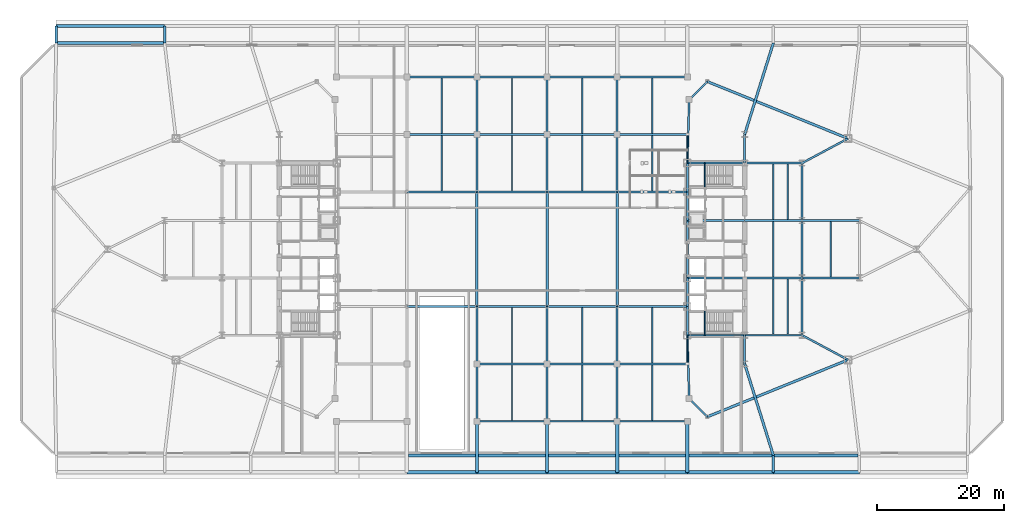
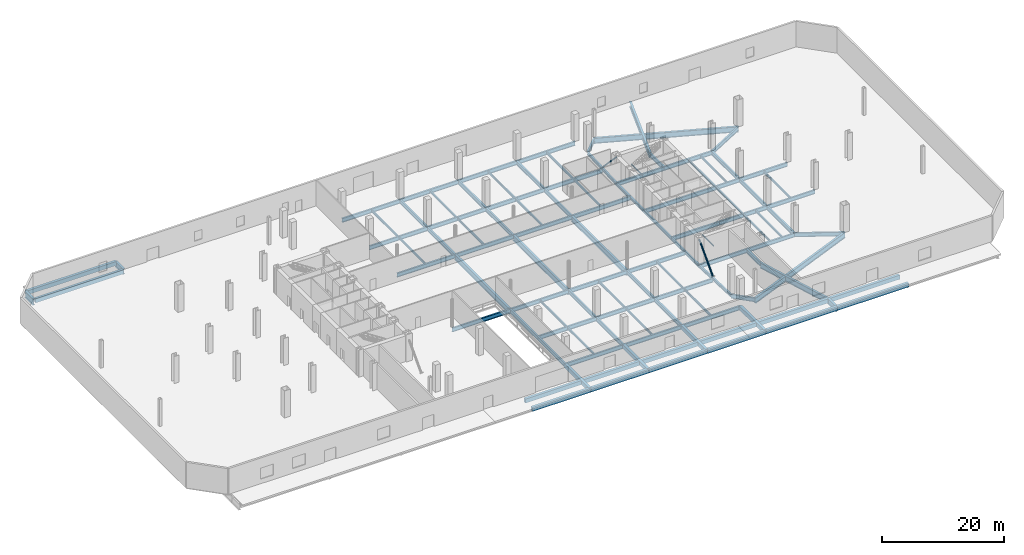
# One storey, part 8 of 21: 110 beams, 2 members.
"""IFC4 building model written with IfcOpenShell, lengths in metres."""

from ifc_helpers import new_model, si_unit, direction, frame, origin, origin_2d, place, context, subcontext, project, spatial, rectangle, hollow_circle, i_section, extrude, source, transform, mapped, material, material_profile, profile_set, type_object, type_shapes, element, save


model = new_model("IFC4")

# Units and contexts
model_context = context("Model", 3, precision=1e-05, world=origin(), true_north=direction((0.0, 1.0)))
body_context = subcontext(model_context, "Body", "Model", "MODEL_VIEW")
ifc_project = project(units=[si_unit("LENGTHUNIT", "METRE"), si_unit("AREAUNIT", "SQUARE_METRE"), si_unit("VOLUMEUNIT", "CUBIC_METRE"), si_unit("PLANEANGLEUNIT", "RADIAN"), si_unit("MASSUNIT", "GRAM", prefix="KILO")], contexts=[model_context])

# Site, building, storey
site_placement = place(None, origin())
site = spatial("IfcSite", under=ifc_project, at=site_placement, CompositionType="ELEMENT")
building_placement = place(site_placement, origin())
building = spatial("IfcBuilding", under=site, at=building_placement, Name="Seokmaru Belvedere", CompositionType="ELEMENT")
storey_placement = place(building_placement, origin())
storey = spatial("IfcBuildingStorey", under=building, at=storey_placement, Name="L00", CompositionType="ELEMENT", Elevation=0.0)

# Beams
ifc_material_1 = material(Name="Steel SM355 (355 MPa)", Category="steel")
ifc_material_profile_1 = material_profile(ifc_material_1, i_section(OverallWidth=0.300048828125, OverallDepth=0.587890625, WebThickness=0.011962890625, FlangeThickness=0.02001953125, at=origin_2d()), Name="H-588x300x12x20")
ifc_profile_set_1 = profile_set([ifc_material_profile_1], Name="Steel SM355 (355 MPa)")
beam_type_1 = type_object("IfcBeamType", Name="Podium Edge Spandrel Beam H-588", PredefinedType="SPANDREL", material=ifc_profile_set_1)
shared_shape_1 = source(origin(), body_context, "Body", "SweptSolid", [
    extrude(i_section(OverallWidth=0.300048828125, OverallDepth=0.587890625, WebThickness=0.011962890625, FlangeThickness=0.02001953125, at=origin_2d()), origin(), (0.0, 0.0, 1.0), 4.5),
])
for number, where, z_axis, x_axis, name in (
    (1, (27.5, -13.5, -0.573974609375), (0.0, 1.0, 0.0), (-1.0, 0.0, 0.0), "L00 E Portal Spine Spandrel 1"),
    (2, (27.5, -9.0, -0.573974609375), (0.0, 1.0, 0.0), (-1.0, 0.0, 0.0), "L00 E Portal Spine Spandrel 2"),
    (3, (27.5, 4.5, -0.573974609375), (0.0, 1.0, 0.0), (-1.0, 0.0, 0.0), "L00 E Portal Spine Spandrel 4"),
    (4, (27.5, 9.0, -0.573974609375), (0.0, 1.0, 0.0), (-1.0, 0.0, 0.0), "L00 E Portal Spine Spandrel 5"),
):
    element("IfcBeam", number, at=place(storey_placement, frame(where, z_axis=z_axis, x_axis=x_axis)), inside=storey, type_object=beam_type_1, Name=name, PredefinedType="SPANDREL", context=body_context, shape_type="MappedRepresentation", body=[
        mapped(shared_shape_1, transform((0.0, 0.0, 0.0), scale=1.0)),
    ])
shared_shape_2 = source(origin(), body_context, "Body", "SweptSolid", [
    extrude(i_section(OverallWidth=0.300048828125, OverallDepth=0.587890625, WebThickness=0.011962890625, FlangeThickness=0.02001953125, at=origin_2d()), origin(), (0.0, 0.0, 1.0), 9.0),
])
beam_1_placement = place(storey_placement, frame((27.5, -4.5, -0.573974609375), z_axis=(0.0, 1.0, 0.0), x_axis=(-1.0, 0.0, 0.0)))
element("IfcBeam", 5, at=beam_1_placement, inside=storey, type_object=beam_type_1, Name="L00 E Portal Spine Spandrel 3", PredefinedType="SPANDREL", context=body_context, shape_type="MappedRepresentation", body=[
    mapped(shared_shape_2, transform((0.0, 0.0, 0.0), scale=1.0)),
])
ifc_material_profile_2 = material_profile(ifc_material_1, i_section(OverallWidth=0.39990234375, OverallDepth=1.10009765625, WebThickness=0.02001953125, FlangeThickness=0.033935546875, at=origin_2d()), Name="BH-1100x400x20x34")
ifc_profile_set_2 = profile_set([ifc_material_profile_2], Name="Steel SM355 (355 MPa)")
beam_type_2 = type_object("IfcBeamType", Name="Sky-Gate Transverse Girder BH-1100", PredefinedType="BEAM", material=ifc_profile_set_2)
shared_shape_3 = source(origin(), body_context, "Body", "SweptSolid", [
    extrude(i_section(OverallWidth=0.39990234375, OverallDepth=1.10009765625, WebThickness=0.02001953125, FlangeThickness=0.033935546875, at=origin_2d()), origin(), (0.0, 0.0, 1.0), 23.811767578125),
])
for number, where, z_axis, x_axis, name in (
    (6, (30.643310546875, -26.294677734375, -0.830078125), (0.92694579442, 0.375195274766, 0.0), (-0.375195274766, 0.92694579442, 0.0), "L00 E Podium Long-Span Flank Girder S-1"),
    (7, (30.643310546875, 26.294677734375, -0.830078125), (0.92694579442, -0.375195274766, 0.0), (0.375195274766, 0.92694579442, 0.0), "L00 E Podium Long-Span Flank Girder N-1"),
):
    element("IfcBeam", number, at=place(storey_placement, frame(where, z_axis=z_axis, x_axis=x_axis)), inside=storey, type_object=beam_type_2, Name=name, PredefinedType="BEAM", context=body_context, shape_type="MappedRepresentation", body=[
        mapped(shared_shape_3, transform((0.0, 0.0, 0.0), scale=1.0)),
    ])
shared_shape_4 = source(origin(), body_context, "Body", "SweptSolid", [
    extrude(i_section(OverallWidth=0.300048828125, OverallDepth=0.587890625, WebThickness=0.011962890625, FlangeThickness=0.02001953125, at=origin_2d()), origin(), (0.0, 0.0, 1.0), 9.9560546875),
])
type_shapes(beam_type_1, [shared_shape_1, shared_shape_2, shared_shape_4])
for number, where, z_axis, x_axis, name in (
    (8, (27.800048828125, -23.451416015625, -0.573974609375), (-0.030137674137, 0.999545757131, 0.0), (-0.999545757131, -0.030137674137, 0.0), "L00 E Podium Spine Shoulder Tie S"),
    (9, (27.800048828125, 23.451416015625, -0.573974609375), (-0.030137674137, -0.999545757131, 0.0), (0.999545757131, -0.030137674137, 0.0), "L00 E Podium Spine Shoulder Tie N"),
):
    element("IfcBeam", number, at=place(storey_placement, frame(where, z_axis=z_axis, x_axis=x_axis)), inside=storey, type_object=beam_type_1, Name=name, PredefinedType="SPANDREL", context=body_context, shape_type="MappedRepresentation", body=[
        mapped(shared_shape_4, transform((0.0, 0.0, 0.0), scale=1.0)),
    ])
ifc_material_2 = material(Name="Concrete C50 (50 MPa)", Category="concrete")
ifc_material_profile_3 = material_profile(ifc_material_2, rectangle(XDim=0.5, YDim=0.800048828125, at=origin_2d()), Name="RC-500x800")
ifc_profile_set_3 = profile_set([ifc_material_profile_3], Name="Concrete C50 (50 MPa)")
beam_type_3 = type_object("IfcBeamType", Name="Plaza Perimeter Concrete Edge Beam RC-500x800", PredefinedType="BEAM", material=ifc_profile_set_3)
shared_shape_5 = source(origin(), body_context, "Body", "SweptSolid", [
    extrude(rectangle(XDim=0.5, YDim=0.800048828125, at=origin_2d()), origin(), (0.0, 0.0, 1.0), 17.0),
])
beam_2_placement = place(storey_placement, frame((-71.5, 35.0, -0.679931640625), z_axis=(1.0, 0.0, 0.0), x_axis=(0.0, 1.0, 0.0)))
element("IfcBeam", 10, at=beam_2_placement, inside=storey, type_object=beam_type_3, Name="L00 Plaza Substructure Edge Beam N-1", PredefinedType="BEAM", context=body_context, shape_type="MappedRepresentation", body=[
    mapped(shared_shape_5, transform((0.0, 0.0, 0.0), scale=1.0)),
])
shared_shape_6 = source(origin(), body_context, "Body", "SweptSolid", [
    extrude(rectangle(XDim=0.5, YDim=0.800048828125, at=origin_2d()), origin(), (0.0, 0.0, 1.0), 13.5),
])
for number, where, z_axis, x_axis, name in (
    (11, (27.5, -35.0, -0.679931640625), (1.0, 0.0, 0.0), (0.0, 1.0, 0.0), "L00 Plaza Substructure Edge Beam S-9"),
    (12, (41.0, -35.0, -0.679931640625), (1.0, 0.0, 0.0), (0.0, 1.0, 0.0), "L00 Plaza Substructure Edge Beam S-10"),
):
    element("IfcBeam", number, at=place(storey_placement, frame(where, z_axis=z_axis, x_axis=x_axis)), inside=storey, type_object=beam_type_3, Name=name, PredefinedType="BEAM", context=body_context, shape_type="MappedRepresentation", body=[
        mapped(shared_shape_6, transform((0.0, 0.0, 0.0), scale=1.0)),
    ])
shared_shape_7 = source(origin(), body_context, "Body", "SweptSolid", [
    extrude(rectangle(XDim=0.5, YDim=0.800048828125, at=origin_2d()), origin(), (0.0, 0.0, 1.0), 11.0),
])
for number, where, z_axis, x_axis, name in (
    (13, (-16.5, -35.0, -0.679931640625), (1.0, 0.0, 0.0), (0.0, 1.0, 0.0), "L00 Plaza Substructure Edge Beam S-5"),
    (14, (-5.5, -35.0, -0.679931640625), (1.0, 0.0, 0.0), (0.0, 1.0, 0.0), "L00 Plaza Substructure Edge Beam S-6"),
    (15, (5.5, -35.0, -0.679931640625), (1.0, 0.0, 0.0), (0.0, 1.0, 0.0), "L00 Plaza Substructure Edge Beam S-7"),
    (16, (16.5, -35.0, -0.679931640625), (1.0, 0.0, 0.0), (0.0, 1.0, 0.0), "L00 Plaza Substructure Edge Beam S-8"),
):
    element("IfcBeam", number, at=place(storey_placement, frame(where, z_axis=z_axis, x_axis=x_axis)), inside=storey, type_object=beam_type_3, Name=name, PredefinedType="BEAM", context=body_context, shape_type="MappedRepresentation", body=[
        mapped(shared_shape_7, transform((0.0, 0.0, 0.0), scale=1.0)),
    ])
ifc_material_profile_4 = material_profile(ifc_material_1, i_section(OverallWidth=0.300048828125, OverallDepth=0.800048828125, WebThickness=0.013916015625, FlangeThickness=0.02587890625, at=origin_2d()), Name="H-800x300x14x26")
ifc_profile_set_4 = profile_set([ifc_material_profile_4], Name="Steel SM355 (355 MPa)")
beam_type_4 = type_object("IfcBeamType", Name="Podium Primary Girder H-800", PredefinedType="BEAM", material=ifc_profile_set_4)
shared_shape_8 = source(origin(), body_context, "Body", "SweptSolid", [
    extrude(i_section(OverallWidth=0.300048828125, OverallDepth=0.800048828125, WebThickness=0.013916015625, FlangeThickness=0.02587890625, at=origin_2d()), origin(), (0.0, 0.0, 1.0), 4.5),
])
for number, where, z_axis, x_axis, name in (
    (17, (36.5, -18.0, -0.679931640625), (0.0, 1.0, 0.0), (-1.0, 0.0, 0.0), "L00 E Core Shoulder Girder S"),
    (18, (36.5, 13.5, -0.679931640625), (0.0, 1.0, 0.0), (-1.0, 0.0, 0.0), "L00 E Core Shoulder Girder N"),
):
    element("IfcBeam", number, at=place(storey_placement, frame(where, z_axis=z_axis, x_axis=x_axis)), inside=storey, type_object=beam_type_4, Name=name, PredefinedType="BEAM", context=body_context, shape_type="MappedRepresentation", body=[
        mapped(shared_shape_8, transform((0.0, 0.0, 0.0), scale=1.0)),
    ])
shared_shape_9 = source(origin(), body_context, "Body", "SweptSolid", [
    extrude(i_section(OverallWidth=0.300048828125, OverallDepth=0.800048828125, WebThickness=0.013916015625, FlangeThickness=0.02587890625, at=origin_2d()), origin(), (0.0, 0.0, 1.0), 9.0),
])
for number, where, z_axis, x_axis, name in (
    (19, (45.5, -13.5, -0.679931640625), (0.0, 1.0, 0.0), (-1.0, 0.0, 0.0), "L00 E Interior Grid Girder 1"),
    (20, (45.5, -4.5, -0.679931640625), (0.0, 1.0, 0.0), (-1.0, 0.0, 0.0), "L00 E Interior Grid Girder 2"),
    (21, (45.5, 4.5, -0.679931640625), (0.0, 1.0, 0.0), (-1.0, 0.0, 0.0), "L00 E Interior Grid Girder 3"),
    (22, (27.5, -13.5, -0.679931640625), (1.0, 0.0, 0.0), (0.0, 1.0, 0.0), "L00 E Core Tie Girder 1"),
    (23, (36.5, -13.5, -0.679931640625), (1.0, 0.0, 0.0), (0.0, 1.0, 0.0), "L00 E Wing Primary Girder 1"),
    (24, (27.5, -4.5, -0.679931640625), (1.0, 0.0, 0.0), (0.0, 1.0, 0.0), "L00 E Core Tie Girder 2"),
    (25, (36.5, -4.5, -0.679931640625), (1.0, 0.0, 0.0), (0.0, 1.0, 0.0), "L00 E Wing Primary Girder 2"),
    (26, (27.5, 4.5, -0.679931640625), (1.0, 0.0, 0.0), (0.0, 1.0, 0.0), "L00 E Core Tie Girder 3"),
    (27, (36.5, 4.5, -0.679931640625), (1.0, 0.0, 0.0), (0.0, 1.0, 0.0), "L00 E Wing Primary Girder 3"),
    (28, (27.5, 13.5, -0.679931640625), (1.0, 0.0, 0.0), (0.0, 1.0, 0.0), "L00 E Core Tie Girder 4"),
    (29, (36.5, 13.5, -0.679931640625), (1.0, 0.0, 0.0), (0.0, 1.0, 0.0), "L00 E Wing Primary Girder 4"),
    (30, (45.5, -4.5, -0.679931640625), (1.0, 0.0, 0.0), (0.0, 1.0, 0.0), "L00 E Outer Wing Girder 1"),
    (31, (45.5, 4.5, -0.679931640625), (1.0, 0.0, 0.0), (0.0, 1.0, 0.0), "L00 E Outer Wing Girder 2"),
    (32, (-5.5, -27.0, -0.679931640625), (0.0, 1.0, 0.0), (-1.0, 0.0, 0.0), "L00 Central Podium Transverse Girder 2-1"),
    (33, (-5.5, -18.0, -0.679931640625), (0.0, 1.0, 0.0), (-1.0, 0.0, 0.0), "L00 Central Podium Transverse Girder 2-2"),
    (34, (-5.5, 9.0, -0.679931640625), (0.0, 1.0, 0.0), (-1.0, 0.0, 0.0), "L00 Central Podium Transverse Girder 2-4"),
    (35, (-5.5, 18.0, -0.679931640625), (0.0, 1.0, 0.0), (-1.0, 0.0, 0.0), "L00 Central Podium Transverse Girder 2-5"),
    (36, (5.5, -27.0, -0.679931640625), (0.0, 1.0, 0.0), (-1.0, 0.0, 0.0), "L00 Central Podium Transverse Girder 3-1"),
    (37, (5.5, -18.0, -0.679931640625), (0.0, 1.0, 0.0), (-1.0, 0.0, 0.0), "L00 Central Podium Transverse Girder 3-2"),
    (38, (5.5, 9.0, -0.679931640625), (0.0, 1.0, 0.0), (-1.0, 0.0, 0.0), "L00 Central Podium Transverse Girder 3-4"),
    (39, (5.5, 18.0, -0.679931640625), (0.0, 1.0, 0.0), (-1.0, 0.0, 0.0), "L00 Central Podium Transverse Girder 3-5"),
    (40, (16.5, -27.0, -0.679931640625), (0.0, 1.0, 0.0), (-1.0, 0.0, 0.0), "L00 Central Podium Transverse Girder 4-1"),
    (41, (16.5, -18.0, -0.679931640625), (0.0, 1.0, 0.0), (-1.0, 0.0, 0.0), "L00 Central Podium Transverse Girder 4-2"),
    (42, (16.5, 9.0, -0.679931640625), (0.0, 1.0, 0.0), (-1.0, 0.0, 0.0), "L00 Central Podium Transverse Girder 4-4"),
    (43, (16.5, 18.0, -0.679931640625), (0.0, 1.0, 0.0), (-1.0, 0.0, 0.0), "L00 Central Podium Transverse Girder 4-5"),
):
    element("IfcBeam", number, at=place(storey_placement, frame(where, z_axis=z_axis, x_axis=x_axis)), inside=storey, type_object=beam_type_4, Name=name, PredefinedType="BEAM", context=body_context, shape_type="MappedRepresentation", body=[
        mapped(shared_shape_9, transform((0.0, 0.0, 0.0), scale=1.0)),
    ])
ifc_material_profile_5 = material_profile(ifc_material_1, i_section(OverallWidth=0.199951171875, OverallDepth=0.449951171875, WebThickness=0.009033203125, FlangeThickness=0.013916015625, at=origin_2d()), Name="H-450x200x9x14")
ifc_profile_set_5 = profile_set([ifc_material_profile_5], Name="Steel SM355 (355 MPa)")
beam_type_5 = type_object("IfcBeamType", Name="Podium Secondary Joist H-450", PredefinedType="JOIST", material=ifc_profile_set_5)
shared_shape_10 = source(origin(), body_context, "Body", "SweptSolid", [
    extrude(i_section(OverallWidth=0.199951171875, OverallDepth=0.449951171875, WebThickness=0.009033203125, FlangeThickness=0.013916015625, at=origin_2d()), origin(), (0.0, 0.0, 1.0), 8.68994140625),
])
type_shapes(beam_type_5, [shared_shape_10])
for number, where, z_axis, x_axis, name in (
    (44, (43.25, -13.344970703125, -0.5048828125), (0.0, 1.0, 0.0), (-1.0, 0.0, 0.0), "L00 E Wing Inner Secondary Joist 1"),
    (45, (43.25, 4.655029296875, -0.5048828125), (0.0, 1.0, 0.0), (-1.0, 0.0, 0.0), "L00 E Wing Inner Secondary Joist 2"),
    (46, (41.0, -13.344970703125, -0.5048828125), (0.0, 1.0, 0.0), (-1.0, 0.0, 0.0), "L00 E Secondary Floor Joist 1"),
    (47, (41.0, -4.344970703125, -0.5048828125), (0.0, 1.0, 0.0), (-1.0, 0.0, 0.0), "L00 E Secondary Floor Joist 2"),
    (48, (41.0, 4.655029296875, -0.5048828125), (0.0, 1.0, 0.0), (-1.0, 0.0, 0.0), "L00 E Secondary Floor Joist 3"),
    (49, (50.0, -4.344970703125, -0.5048828125), (0.0, 1.0, 0.0), (-1.0, 0.0, 0.0), "L00 E Outer Bay Secondary Joist"),
    (50, (-11.0, 9.155029296875, -0.5048828125), (0.0, 1.0, 0.0), (-1.0, 0.0, 0.0), "L00 Central Podium Secondary Joist 2-3"),
    (51, (-11.0, 18.155029296875, -0.5048828125), (0.0, 1.0, 0.0), (-1.0, 0.0, 0.0), "L00 Central Podium Secondary Joist 2-4"),
    (52, (0.0, -26.844970703125, -0.5048828125), (0.0, 1.0, 0.0), (-1.0, 0.0, 0.0), "L00 Central Podium Secondary Joist 3-1"),
    (53, (0.0, -17.844970703125, -0.5048828125), (0.0, 1.0, 0.0), (-1.0, 0.0, 0.0), "L00 Central Podium Secondary Joist 3-2"),
    (54, (0.0, 9.155029296875, -0.5048828125), (0.0, 1.0, 0.0), (-1.0, 0.0, 0.0), "L00 Central Podium Secondary Joist 3-3"),
    (55, (0.0, 18.155029296875, -0.5048828125), (0.0, 1.0, 0.0), (-1.0, 0.0, 0.0), "L00 Central Podium Secondary Joist 3-4"),
    (56, (11.0, -26.844970703125, -0.5048828125), (0.0, 1.0, 0.0), (-1.0, 0.0, 0.0), "L00 Central Podium Secondary Joist 4-1"),
    (57, (11.0, -17.844970703125, -0.5048828125), (0.0, 1.0, 0.0), (-1.0, 0.0, 0.0), "L00 Central Podium Secondary Joist 4-2"),
    (58, (11.0, 9.155029296875, -0.5048828125), (0.0, 1.0, 0.0), (-1.0, 0.0, 0.0), "L00 Central Podium Secondary Joist 4-3"),
    (59, (11.0, 18.155029296875, -0.5048828125), (0.0, 1.0, 0.0), (-1.0, 0.0, 0.0), "L00 Central Podium Secondary Joist 4-4"),
    (60, (22.0, -26.844970703125, -0.5048828125), (0.0, 1.0, 0.0), (-1.0, 0.0, 0.0), "L00 Central Podium Secondary Joist 5-1"),
    (61, (22.0, -17.844970703125, -0.5048828125), (0.0, 1.0, 0.0), (-1.0, 0.0, 0.0), "L00 Central Podium Secondary Joist 5-2"),
    (62, (22.0, 9.155029296875, -0.5048828125), (0.0, 1.0, 0.0), (-1.0, 0.0, 0.0), "L00 Central Podium Secondary Joist 5-3"),
    (63, (22.0, 18.155029296875, -0.5048828125), (0.0, 1.0, 0.0), (-1.0, 0.0, 0.0), "L00 Central Podium Secondary Joist 5-4"),
):
    element("IfcBeam", number, at=place(storey_placement, frame(where, z_axis=z_axis, x_axis=x_axis)), inside=storey, type_object=beam_type_5, Name=name, PredefinedType="JOIST", context=body_context, shape_type="MappedRepresentation", body=[
        mapped(shared_shape_10, transform((0.0, 0.0, 0.0), scale=1.0)),
    ])
shared_shape_11 = source(origin(), body_context, "Body", "SweptSolid", [
    extrude(i_section(OverallWidth=0.300048828125, OverallDepth=0.800048828125, WebThickness=0.013916015625, FlangeThickness=0.02587890625, at=origin_2d()), origin(), (0.0, 0.0, 1.0), 4.02099609375),
])
for number, where, z_axis, x_axis, name in (
    (64, (30.643310546875, -26.294677734375, -0.679931640625), (-0.707106781187, 0.707106781187, 0.0), (-0.707106781187, -0.707106781187, 0.0), "L00 E Podium South Shoulder Girder"),
    (65, (30.643310546875, 26.294677734375, -0.679931640625), (-0.707106781187, -0.707106781187, 0.0), (0.707106781187, -0.707106781187, 0.0), "L00 E Podium North Shoulder Girder"),
):
    element("IfcBeam", number, at=place(storey_placement, frame(where, z_axis=z_axis, x_axis=x_axis)), inside=storey, type_object=beam_type_4, Name=name, PredefinedType="BEAM", context=body_context, shape_type="MappedRepresentation", body=[
        mapped(shared_shape_11, transform((0.0, 0.0, 0.0), scale=1.0)),
    ])
shared_shape_12 = source(origin(), body_context, "Body", "SweptSolid", [
    extrude(i_section(OverallWidth=0.300048828125, OverallDepth=0.800048828125, WebThickness=0.013916015625, FlangeThickness=0.02587890625, at=origin_2d()), origin(), (0.0, 0.0, 1.0), 8.183349609375),
])
for number, where, z_axis, x_axis, name in (
    (66, (52.715576171875, -17.360595703125, -0.679931640625), (-0.881728657166, 0.47175690258, 0.0), (-0.47175690258, -0.881728657166, 0.0), "L00 E Flank Radial Floor Girder S-2"),
    (67, (52.715576171875, 17.360595703125, -0.679931640625), (-0.881728657166, -0.47175690258, 0.0), (0.47175690258, -0.881728657166, 0.0), "L00 E Flank Radial Floor Girder N-2"),
):
    element("IfcBeam", number, at=place(storey_placement, frame(where, z_axis=z_axis, x_axis=x_axis)), inside=storey, type_object=beam_type_4, Name=name, PredefinedType="BEAM", context=body_context, shape_type="MappedRepresentation", body=[
        mapped(shared_shape_12, transform((0.0, 0.0, 0.0), scale=1.0)),
    ])
shared_shape_13 = source(origin(), body_context, "Body", "SweptSolid", [
    extrude(i_section(OverallWidth=0.300048828125, OverallDepth=0.800048828125, WebThickness=0.013916015625, FlangeThickness=0.02587890625, at=origin_2d()), origin(), (0.0, 0.0, 1.0), 11.0),
])
type_shapes(beam_type_4, [shared_shape_8, shared_shape_9, shared_shape_11, shared_shape_12, shared_shape_13])
for number, where, z_axis, x_axis, name in (
    (68, (-5.5, -27.0, -0.679931640625), (1.0, 0.0, 0.0), (0.0, 1.0, 0.0), "L00 Central Podium Girder 1-3"),
    (69, (5.5, -27.0, -0.679931640625), (1.0, 0.0, 0.0), (0.0, 1.0, 0.0), "L00 Central Podium Girder 1-4"),
    (70, (16.5, -27.0, -0.679931640625), (1.0, 0.0, 0.0), (0.0, 1.0, 0.0), "L00 Central Podium Girder 1-5"),
    (71, (-5.5, -18.0, -0.679931640625), (1.0, 0.0, 0.0), (0.0, 1.0, 0.0), "L00 Central Podium Girder 2-3"),
    (72, (5.5, -18.0, -0.679931640625), (1.0, 0.0, 0.0), (0.0, 1.0, 0.0), "L00 Central Podium Girder 2-4"),
    (73, (16.5, -18.0, -0.679931640625), (1.0, 0.0, 0.0), (0.0, 1.0, 0.0), "L00 Central Podium Girder 2-5"),
    (74, (-16.5, -9.0, -0.679931640625), (1.0, 0.0, 0.0), (0.0, 1.0, 0.0), "L00 Central Podium Girder 3-2"),
    (75, (-5.5, -9.0, -0.679931640625), (1.0, 0.0, 0.0), (0.0, 1.0, 0.0), "L00 Central Podium Girder 3-3"),
    (76, (5.5, -9.0, -0.679931640625), (1.0, 0.0, 0.0), (0.0, 1.0, 0.0), "L00 Central Podium Girder 3-4"),
    (77, (16.5, -9.0, -0.679931640625), (1.0, 0.0, 0.0), (0.0, 1.0, 0.0), "L00 Central Podium Girder 3-5"),
    (78, (-16.5, 9.0, -0.679931640625), (1.0, 0.0, 0.0), (0.0, 1.0, 0.0), "L00 Central Podium Girder 4-2"),
    (79, (-5.5, 9.0, -0.679931640625), (1.0, 0.0, 0.0), (0.0, 1.0, 0.0), "L00 Central Podium Girder 4-3"),
    (80, (5.5, 9.0, -0.679931640625), (1.0, 0.0, 0.0), (0.0, 1.0, 0.0), "L00 Central Podium Girder 4-4"),
    (81, (16.5, 9.0, -0.679931640625), (1.0, 0.0, 0.0), (0.0, 1.0, 0.0), "L00 Central Podium Girder 4-5"),
    (82, (-16.5, 18.0, -0.679931640625), (1.0, 0.0, 0.0), (0.0, 1.0, 0.0), "L00 Central Podium Girder 5-2"),
    (83, (-5.5, 18.0, -0.679931640625), (1.0, 0.0, 0.0), (0.0, 1.0, 0.0), "L00 Central Podium Girder 5-3"),
    (84, (5.5, 18.0, -0.679931640625), (1.0, 0.0, 0.0), (0.0, 1.0, 0.0), "L00 Central Podium Girder 5-4"),
    (85, (16.5, 18.0, -0.679931640625), (1.0, 0.0, 0.0), (0.0, 1.0, 0.0), "L00 Central Podium Girder 5-5"),
    (86, (-16.5, 27.0, -0.679931640625), (1.0, 0.0, 0.0), (0.0, 1.0, 0.0), "L00 Central Podium Girder 6-2"),
    (87, (-5.5, 27.0, -0.679931640625), (1.0, 0.0, 0.0), (0.0, 1.0, 0.0), "L00 Central Podium Girder 6-3"),
    (88, (5.5, 27.0, -0.679931640625), (1.0, 0.0, 0.0), (0.0, 1.0, 0.0), "L00 Central Podium Girder 6-4"),
    (89, (16.5, 27.0, -0.679931640625), (1.0, 0.0, 0.0), (0.0, 1.0, 0.0), "L00 Central Podium Girder 6-5"),
):
    element("IfcBeam", number, at=place(storey_placement, frame(where, z_axis=z_axis, x_axis=x_axis)), inside=storey, type_object=beam_type_4, Name=name, PredefinedType="BEAM", context=body_context, shape_type="MappedRepresentation", body=[
        mapped(shared_shape_13, transform((0.0, 0.0, 0.0), scale=1.0)),
    ])
shared_shape_14 = source(origin(), body_context, "Body", "SweptSolid", [
    extrude(i_section(OverallWidth=0.39990234375, OverallDepth=1.10009765625, WebThickness=0.02001953125, FlangeThickness=0.033935546875, at=origin_2d()), origin(), (0.0, 0.0, 1.0), 18.0),
])
for number, where, z_axis, x_axis, name in (
    (90, (-5.5, -9.0, -0.830078125), (0.0, 1.0, 0.0), (-1.0, 0.0, 0.0), "L00 Central Podium Transverse Girder 2-3"),
    (91, (5.5, -9.0, -0.830078125), (0.0, 1.0, 0.0), (-1.0, 0.0, 0.0), "L00 Central Podium Transverse Girder 3-3"),
    (92, (16.5, -9.0, -0.830078125), (0.0, 1.0, 0.0), (-1.0, 0.0, 0.0), "L00 Central Podium Transverse Girder 4-3"),
):
    element("IfcBeam", number, at=place(storey_placement, frame(where, z_axis=z_axis, x_axis=x_axis)), inside=storey, type_object=beam_type_2, Name=name, PredefinedType="BEAM", context=body_context, shape_type="MappedRepresentation", body=[
        mapped(shared_shape_14, transform((0.0, 0.0, 0.0), scale=1.0)),
    ])
shared_shape_15 = source(origin(), body_context, "Body", "SweptSolid", [
    extrude(rectangle(XDim=0.5, YDim=0.800048828125, at=origin_2d()), origin(), (0.0, 0.0, 1.0), 16.5849609375),
])
beam_3_placement = place(storey_placement, frame((-71.280029296875, 32.35009765625, -0.679931640625), z_axis=(1.0, 0.0, 0.0), x_axis=(0.0, 1.0, 0.0)))
element("IfcBeam", 93, at=beam_3_placement, inside=storey, type_object=beam_type_3, Name="L00 Plaza Inner Support Beam N-1", PredefinedType="BEAM", context=body_context, shape_type="MappedRepresentation", body=[
    mapped(shared_shape_15, transform((0.0, 0.0, 0.0), scale=1.0)),
])
shared_shape_16 = source(origin(), body_context, "Body", "SweptSolid", [
    extrude(rectangle(XDim=0.5, YDim=0.800048828125, at=origin_2d()), origin(), (0.0, 0.0, 1.0), 13.10986328125),
])
beam_4_placement = place(storey_placement, frame((41.195068359375, -32.35009765625, -0.679931640625), z_axis=(1.0, 0.0, 0.0), x_axis=(0.0, 1.0, 0.0)))
element("IfcBeam", 94, at=beam_4_placement, inside=storey, type_object=beam_type_3, Name="L00 Plaza Inner Support Beam S-10", PredefinedType="BEAM", context=body_context, shape_type="MappedRepresentation", body=[
    mapped(shared_shape_16, transform((0.0, 0.0, 0.0), scale=1.0)),
])
shared_shape_17 = source(origin(), body_context, "Body", "SweptSolid", [
    extrude(rectangle(XDim=0.5, YDim=0.800048828125, at=origin_2d()), origin(), (0.0, 0.0, 1.0), 13.059814453125),
])
beam_5_placement = place(storey_placement, frame((27.7451171875, -32.35009765625, -0.679931640625), z_axis=(1.0, 0.0, 0.0), x_axis=(0.0, 1.0, 0.0)))
element("IfcBeam", 95, at=beam_5_placement, inside=storey, type_object=beam_type_3, Name="L00 Plaza Inner Support Beam S-9", PredefinedType="BEAM", context=body_context, shape_type="MappedRepresentation", body=[
    mapped(shared_shape_17, transform((0.0, 0.0, 0.0), scale=1.0)),
])
shared_shape_18 = source(origin(), body_context, "Body", "SweptSolid", [
    extrude(rectangle(XDim=0.5, YDim=0.800048828125, at=origin_2d()), origin(), (0.0, 0.0, 1.0), 10.509765625),
])
for number, where, z_axis, x_axis, name in (
    (96, (-16.2548828125, -32.35009765625, -0.679931640625), (1.0, 0.0, 0.0), (0.0, 1.0, 0.0), "L00 Plaza Inner Support Beam S-5"),
    (97, (-5.2548828125, -32.35009765625, -0.679931640625), (1.0, 0.0, 0.0), (0.0, 1.0, 0.0), "L00 Plaza Inner Support Beam S-6"),
    (98, (5.7451171875, -32.35009765625, -0.679931640625), (1.0, 0.0, 0.0), (0.0, 1.0, 0.0), "L00 Plaza Inner Support Beam S-7"),
    (99, (16.7451171875, -32.35009765625, -0.679931640625), (1.0, 0.0, 0.0), (0.0, 1.0, 0.0), "L00 Plaza Inner Support Beam S-8"),
):
    element("IfcBeam", number, at=place(storey_placement, frame(where, z_axis=z_axis, x_axis=x_axis)), inside=storey, type_object=beam_type_3, Name=name, PredefinedType="BEAM", context=body_context, shape_type="MappedRepresentation", body=[
        mapped(shared_shape_18, transform((0.0, 0.0, 0.0), scale=1.0)),
    ])
ifc_material_3 = material(Name="Steel HSA650 (650 MPa)", Category="steel")
ifc_material_profile_6 = material_profile(ifc_material_3, i_section(OverallWidth=0.449951171875, OverallDepth=1.300048828125, WebThickness=0.02197265625, FlangeThickness=0.0380859375, at=origin_2d()), Name="BH-1300x450x22x38")
ifc_profile_set_6 = profile_set([ifc_material_profile_6], Name="Steel HSA650 (650 MPa)")
beam_type_6 = type_object("IfcBeamType", Name="Observatory Long-Span Roof Girder BH-1300", PredefinedType="BEAM", material=ifc_profile_set_6)
shared_shape_19 = source(origin(), body_context, "Body", "SweptSolid", [
    extrude(i_section(OverallWidth=0.449951171875, OverallDepth=1.300048828125, WebThickness=0.02197265625, FlangeThickness=0.0380859375, at=origin_2d()), origin(), (0.0, 0.0, 1.0), 2.64990234375),
])
type_shapes(beam_type_6, [shared_shape_19])
beam_6_placement = place(storey_placement, frame((-71.5, 35.0, -0.929931640625), z_axis=(0.0, -1.0, 0.0), x_axis=(1.0, 0.0, 0.0)))
element("IfcBeam", 100, at=beam_6_placement, inside=storey, type_object=beam_type_6, Name="L00 Plaza Outer Cantilever Rib N-1", PredefinedType="BEAM", context=body_context, shape_type="MappedRepresentation", body=[
    mapped(shared_shape_19, transform((0.0, 0.0, 0.0), scale=1.0)),
])
shared_shape_20 = source(origin(), body_context, "Body", "SweptSolid", [
    extrude(i_section(OverallWidth=0.39990234375, OverallDepth=1.10009765625, WebThickness=0.02001953125, FlangeThickness=0.033935546875, at=origin_2d()), origin(), (0.0, 0.0, 1.0), 2.64990234375),
])
for number, where, z_axis, x_axis, name in (
    (101, (41.0, -35.0, -0.830078125), (0.0, 1.0, 0.0), (-1.0, 0.0, 0.0), "L00 Plaza Shoulder Rib S-10"),
    (102, (-54.5, 35.0, -0.830078125), (0.0, -1.0, 0.0), (1.0, 0.0, 0.0), "L00 Plaza Mid Cantilever Rib N-2"),
):
    element("IfcBeam", number, at=place(storey_placement, frame(where, z_axis=z_axis, x_axis=x_axis)), inside=storey, type_object=beam_type_2, Name=name, PredefinedType="BEAM", context=body_context, shape_type="MappedRepresentation", body=[
        mapped(shared_shape_20, transform((0.0, 0.0, 0.0), scale=1.0)),
    ])
shared_shape_21 = source(origin(), body_context, "Body", "SweptSolid", [
    extrude(i_section(OverallWidth=0.39990234375, OverallDepth=1.10009765625, WebThickness=0.02001953125, FlangeThickness=0.033935546875, at=origin_2d()), origin(), (0.0, 0.0, 1.0), 15.0390625),
])
type_shapes(beam_type_2, [shared_shape_3, shared_shape_14, shared_shape_20, shared_shape_21])
for number, where, z_axis, x_axis, name in (
    (103, (41.0, -32.35009765625, -0.830078125), (-0.299219521173, 0.954184299886, 0.0), (-0.954184299886, -0.299219521173, 0.0), "L00 Plaza Shoulder Back-Span Rib S-10"),
    (104, (41.0, 32.35009765625, -0.830078125), (-0.299219521173, -0.954184299886, 0.0), (0.954184299886, -0.299219521173, 0.0), "L00 Plaza Shoulder Back-Span Rib N-10"),
):
    element("IfcBeam", number, at=place(storey_placement, frame(where, z_axis=z_axis, x_axis=x_axis)), inside=storey, type_object=beam_type_2, Name=name, PredefinedType="BEAM", context=body_context, shape_type="MappedRepresentation", body=[
        mapped(shared_shape_21, transform((0.0, 0.0, 0.0), scale=1.0)),
    ])
shared_shape_22 = source(origin(), body_context, "Body", "SweptSolid", [
    extrude(rectangle(XDim=0.5, YDim=0.800048828125, at=origin_2d()), origin(), (0.0, 0.0, 1.0), 8.0),
])
type_shapes(beam_type_3, [shared_shape_5, shared_shape_6, shared_shape_7, shared_shape_15, shared_shape_16, shared_shape_17, shared_shape_18, shared_shape_22])
for number, where, z_axis, x_axis, name in (
    (105, (-5.5, -35.0, -0.679931640625), (0.0, 1.0, 0.0), (-1.0, 0.0, 0.0), "L00 Plaza Transverse Support Rib S-6"),
    (106, (5.5, -35.0, -0.679931640625), (0.0, 1.0, 0.0), (-1.0, 0.0, 0.0), "L00 Plaza Transverse Support Rib S-7"),
    (107, (16.5, -35.0, -0.679931640625), (0.0, 1.0, 0.0), (-1.0, 0.0, 0.0), "L00 Plaza Transverse Support Rib S-8"),
    (108, (27.5, -35.0, -0.679931640625), (0.0, 1.0, 0.0), (-1.0, 0.0, 0.0), "L00 Plaza Transverse Support Rib S-9"),
):
    element("IfcBeam", number, at=place(storey_placement, frame(where, z_axis=z_axis, x_axis=x_axis)), inside=storey, type_object=beam_type_3, Name=name, PredefinedType="BEAM", context=body_context, shape_type="MappedRepresentation", body=[
        mapped(shared_shape_22, transform((0.0, 0.0, 0.0), scale=1.0)),
    ])

# Members
ifc_material_profile_7 = material_profile(ifc_material_1, hollow_circle(Radius=0.1591796875, WallThickness=0.01025390625, at=origin_2d()), Name="CHS-318.5x10.3")
ifc_profile_set_7 = profile_set([ifc_material_profile_7], Name="Steel SM355 (355 MPa)")
member_type_1 = type_object("IfcMemberType", Name="Podium Portal Wind Brace CHS-318", PredefinedType="BRACE", material=ifc_profile_set_7)
shared_shape_23 = source(origin(), body_context, "Body", "SweptSolid", [
    extrude(hollow_circle(Radius=0.1591796875, WallThickness=0.01025390625, at=origin_2d()), origin(), (0.0, 0.0, 1.0), 6.521240234375),
])
type_shapes(member_type_1, [shared_shape_23])
member_1_placement = place(storey_placement, frame((27.5, -18.0, 0.0), z_axis=(0.0, 0.690040218266, 0.723771025377), x_axis=(-1.0, 0.0, 0.0)))
element("IfcMember", 109, at=member_1_placement, inside=storey, type_object=member_type_1, Name="L00 Podium Portal Wind Brace ES", PredefinedType="BRACE", context=body_context, shape_type="MappedRepresentation", body=[
    mapped(shared_shape_23, transform((0.0, 0.0, 0.0), scale=1.0)),
])
ifc_material_profile_8 = material_profile(ifc_material_1, hollow_circle(Radius=0.1337890625, WallThickness=0.00927734375, at=origin_2d()), Name="CHS-267.4x9.3")
ifc_profile_set_8 = profile_set([ifc_material_profile_8], Name="Steel SM355 (355 MPa)")
member_type_2 = type_object("IfcMemberType", Name="Canopy Tie Strut CHS-267", PredefinedType="BRACE", material=ifc_profile_set_8)
shared_shape_24 = source(origin(), body_context, "Body", "SweptSolid", [
    extrude(hollow_circle(Radius=0.1337890625, WallThickness=0.00927734375, at=origin_2d()), origin(), (0.0, 0.0, 1.0), 6.521240234375),
])
type_shapes(member_type_2, [shared_shape_24])
member_2_placement = place(storey_placement, frame((27.5, 18.0, 0.0), z_axis=(0.0, -0.690040218266, 0.723771025377), x_axis=(1.0, 0.0, 0.0)))
element("IfcMember", 110, at=member_2_placement, inside=storey, type_object=member_type_2, Name="L00 Podium Portal Tie Strut EN", PredefinedType="BRACE", context=body_context, shape_type="MappedRepresentation", body=[
    mapped(shared_shape_24, transform((0.0, 0.0, 0.0), scale=1.0)),
])

# Beams
ifc_material_profile_9 = material_profile(ifc_material_1, i_section(OverallWidth=0.125, OverallDepth=0.25, WebThickness=0.006103515625, FlangeThickness=0.009033203125, at=origin_2d()), Name="H-250x125x6x9")
ifc_profile_set_9 = profile_set([ifc_material_profile_9], Name="Steel SM355 (355 MPa)")
beam_type_7 = type_object("IfcBeamType", Name="Stair Mid-Landing Support Beam H-250", PredefinedType="JOIST", material=ifc_profile_set_9)
shared_shape_25 = source(origin(), body_context, "Body", "SweptSolid", [
    extrude(i_section(OverallWidth=0.125, OverallDepth=0.25, WebThickness=0.006103515625, FlangeThickness=0.009033203125, at=origin_2d()), origin(), (0.0, 0.0, 1.0), 3.800048828125),
])
type_shapes(beam_type_7, [shared_shape_25])
for number, where, z_axis, x_axis, name in (
    (111, (30.25, -13.5, 2.375), (0.0, 1.0, 0.0), (-1.0, 0.0, 0.0), "L00 Stair ST-E1 Mid-Landing Support Beam 1"),
    (112, (30.25, 9.699951171875, 2.375), (0.0, 1.0, 0.0), (-1.0, 0.0, 0.0), "L00 Stair ST-E2 Mid-Landing Support Beam 1"),
):
    element("IfcBeam", number, at=place(storey_placement, frame(where, z_axis=z_axis, x_axis=x_axis)), inside=storey, type_object=beam_type_7, Name=name, PredefinedType="JOIST", context=body_context, shape_type="MappedRepresentation", body=[
        mapped(shared_shape_25, transform((0.0, 0.0, 0.0), scale=1.0)),
    ])

save(model, "model.ifc")
